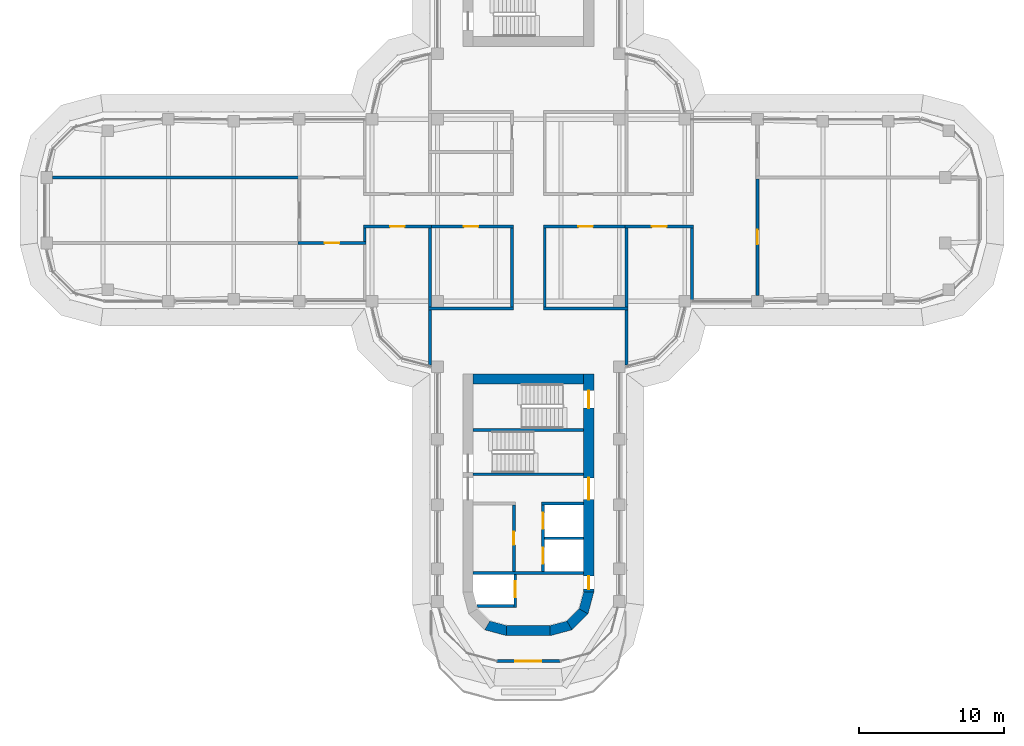
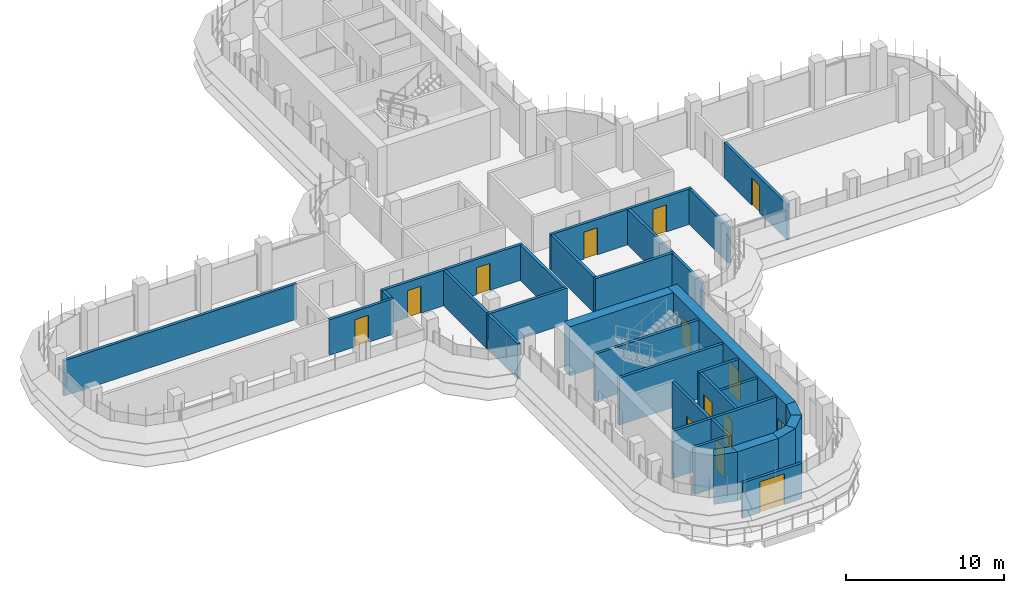
# One storey, part 14 of 20: 34 walls, 14 doors, 14 openings.
"""IFC4 building model written with IfcOpenShell, lengths in metres."""

from ifc_helpers import new_model, si_unit, direction, frame, frame_2d, origin, place, context, subcontext, project, spatial, polyline, rectangle, outline, extrude, material, layer, layer_set, type_object, element, fill, save


model = new_model("IFC4")

# Units and contexts
model_context = context("Model", 3, precision=1e-05, world=origin(), true_north=direction((0.0, 1.0)))
body_context = subcontext(model_context, "Body", "Model", "MODEL_VIEW")
ifc_project = project(units=[si_unit("LENGTHUNIT", "METRE"), si_unit("AREAUNIT", "SQUARE_METRE"), si_unit("VOLUMEUNIT", "CUBIC_METRE"), si_unit("PLANEANGLEUNIT", "RADIAN"), si_unit("MASSUNIT", "GRAM", prefix="KILO")], contexts=[model_context])

# Site, building, storey
site_placement = place(None, origin())
site = spatial("IfcSite", under=ifc_project, at=site_placement, CompositionType="ELEMENT")
building_placement = place(site_placement, origin())
building = spatial("IfcBuilding", under=site, at=building_placement, Name="Zarbagh Exchange Tower", CompositionType="ELEMENT")
storey_placement = place(building_placement, frame((0.0, 0.0, 156.199951171875)))
storey = spatial("IfcBuildingStorey", under=building, at=storey_placement, Name="L37", CompositionType="ELEMENT", Elevation=156.199951171875)

# Wall, opening, door
ifc_material_1 = material(Name="Fire-rated plasterboard partition")
ifc_layer_1 = layer(ifc_material_1, 0.199951171875)
ifc_layer_set_1 = layer_set([ifc_layer_1], Name="RATED PARTITION 200")
wall_type_1 = type_object("IfcWallType", Name="RATED PARTITION 200", PredefinedType="PARTITIONING", material=ifc_layer_set_1)
wall_1_placement = place(storey_placement, frame((6.85009765625, -1.125, 0.0), z_axis=(0.0, 0.0, 1.0), x_axis=(-1.0, 0.0, 0.0)))
wall_1 = element("IfcWall", 1, at=wall_1_placement, inside=storey, type_object=wall_type_1, Name="Partition W-1605", PredefinedType="PARTITIONING", context=body_context, shape_type="SweptSolid", body=[
    extrude(rectangle(XDim=5.8251953125, YDim=0.199951171875, at=frame_2d((2.91259765625, 0.0))), origin(), (0.0, 0.0, 1.0), 2.75),
])
opening_1_placement = place(wall_1_placement, frame((2.41259765625, 0.0, 0.0)))
opening_1 = element("IfcOpeningElement", 2, at=opening_1_placement, cuts=wall_1, Name="Opening D-1609", PredefinedType="OPENING", context=body_context, shape_type="SweptSolid", body=[
    extrude(rectangle(XDim=1.0, YDim=2.10009765625, at=frame_2d((0.5, 1.050048828125))), frame((0.0, 0.10986328125, 0.0), z_axis=(0.0, -1.0, 0.0), x_axis=(1.0, 0.0, 0.0)), (0.0, 0.0, 1.0), 0.219970703125),
])
ifc_material_2 = material(Name="Steel door set", Category="steel")
door_type_1 = type_object("IfcDoorType", Name="FIRE DOOR 1000 X 2100 FD30S", OperationType="NOTDEFINED", PredefinedType="DOOR", material=ifc_material_2)
door_1_placement = place(opening_1_placement, origin())
door_1 = element("IfcDoor", 3, at=door_1_placement, inside=storey, type_object=door_type_1, Name="Door D-1609", OperationType="SINGLE_SWING_RIGHT", OverallHeight=2.10009765625, OverallWidth=1.0, PredefinedType="DOOR", context=body_context, shape_type="SweptSolid", body=[
    extrude(rectangle(XDim=1.0, YDim=2.10009765625, at=frame_2d((0.5, 1.050048828125))), frame((0.0, 0.02490234375, 0.0), z_axis=(0.0, -1.0, 0.0), x_axis=(1.0, 0.0, 0.0)), (0.0, 0.0, 1.0), 0.050048828125),
])
fill(opening_1, door_1)

wall_2_placement = place(storey_placement, frame((11.35009765625, -1.125, 0.0), z_axis=(0.0, 0.0, 1.0), x_axis=(-1.0, 0.0, 0.0)))
wall_2 = element("IfcWall", 4, at=wall_2_placement, inside=storey, type_object=wall_type_1, Name="Partition W-1606", PredefinedType="PARTITIONING", context=body_context, shape_type="SweptSolid", body=[
    extrude(rectangle(XDim=4.7001953125, YDim=0.199951171875, at=frame_2d((2.35009765625, 0.0))), origin(), (0.0, 0.0, 1.0), 2.75),
])
opening_2_placement = place(wall_2_placement, frame((1.85009765625, 0.0, 0.0)))
opening_2 = element("IfcOpeningElement", 5, at=opening_2_placement, cuts=wall_2, Name="Opening D-1610", PredefinedType="OPENING", context=body_context, shape_type="SweptSolid", body=[
    extrude(rectangle(XDim=1.0, YDim=2.10009765625, at=frame_2d((0.5, 1.050048828125))), frame((0.0, 0.10986328125, 0.0), z_axis=(0.0, -1.0, 0.0), x_axis=(1.0, 0.0, 0.0)), (0.0, 0.0, 1.0), 0.219970703125),
])
door_2_placement = place(opening_2_placement, origin())
door_2 = element("IfcDoor", 6, at=door_2_placement, inside=storey, type_object=door_type_1, Name="Door D-1610", OperationType="SINGLE_SWING_RIGHT", OverallHeight=2.10009765625, OverallWidth=1.0, PredefinedType="DOOR", context=body_context, shape_type="SweptSolid", body=[
    extrude(rectangle(XDim=1.0, YDim=2.10009765625, at=frame_2d((0.5, 1.050048828125))), frame((0.0, 0.02490234375, 0.0), z_axis=(0.0, -1.0, 0.0), x_axis=(1.0, 0.0, 0.0)), (0.0, 0.0, 1.0), 0.050048828125),
])
fill(opening_2, door_2)

wall_3_placement = place(storey_placement, frame((-1.02490234375, -1.125, 0.0), z_axis=(0.0, 0.0, 1.0), x_axis=(-1.0, 0.0, 0.0)))
wall_3 = element("IfcWall", 7, at=wall_3_placement, inside=storey, type_object=wall_type_1, Name="Partition W-1607", PredefinedType="PARTITIONING", context=body_context, shape_type="SweptSolid", body=[
    extrude(rectangle(XDim=5.8251953125, YDim=0.199951171875, at=frame_2d((2.91259765625, 0.0))), origin(), (0.0, 0.0, 1.0), 2.75),
])
opening_3_placement = place(wall_3_placement, frame((2.41259765625, 0.0, 0.0)))
opening_3 = element("IfcOpeningElement", 8, at=opening_3_placement, cuts=wall_3, Name="Opening D-1611", PredefinedType="OPENING", context=body_context, shape_type="SweptSolid", body=[
    extrude(rectangle(XDim=1.0, YDim=2.10009765625, at=frame_2d((0.5, 1.050048828125))), frame((0.0, 0.10986328125, 0.0), z_axis=(0.0, -1.0, 0.0), x_axis=(1.0, 0.0, 0.0)), (0.0, 0.0, 1.0), 0.219970703125),
])
door_3_placement = place(opening_3_placement, origin())
door_3 = element("IfcDoor", 9, at=door_3_placement, inside=storey, type_object=door_type_1, Name="Door D-1611", OperationType="SINGLE_SWING_RIGHT", OverallHeight=2.10009765625, OverallWidth=1.0, PredefinedType="DOOR", context=body_context, shape_type="SweptSolid", body=[
    extrude(rectangle(XDim=1.0, YDim=2.10009765625, at=frame_2d((0.5, 1.050048828125))), frame((0.0, 0.02490234375, 0.0), z_axis=(0.0, -1.0, 0.0), x_axis=(1.0, 0.0, 0.0)), (0.0, 0.0, 1.0), 0.050048828125),
])
fill(opening_3, door_3)

wall_4_placement = place(storey_placement, frame((-6.64990234375, -1.125, 0.0), z_axis=(0.0, 0.0, 1.0), x_axis=(-1.0, 0.0, 0.0)))
wall_4 = element("IfcWall", 10, at=wall_4_placement, inside=storey, type_object=wall_type_1, Name="Partition W-1608", PredefinedType="PARTITIONING", context=body_context, shape_type="SweptSolid", body=[
    extrude(rectangle(XDim=4.7001953125, YDim=0.199951171875, at=frame_2d((2.35009765625, 0.0))), origin(), (0.0, 0.0, 1.0), 2.75),
])
opening_4_placement = place(wall_4_placement, frame((1.85009765625, 0.0, 0.0)))
opening_4 = element("IfcOpeningElement", 11, at=opening_4_placement, cuts=wall_4, Name="Opening D-1612", PredefinedType="OPENING", context=body_context, shape_type="SweptSolid", body=[
    extrude(rectangle(XDim=1.0, YDim=2.10009765625, at=frame_2d((0.5, 1.050048828125))), frame((0.0, 0.10986328125, 0.0), z_axis=(0.0, -1.0, 0.0), x_axis=(1.0, 0.0, 0.0)), (0.0, 0.0, 1.0), 0.219970703125),
])
door_4_placement = place(opening_4_placement, origin())
door_4 = element("IfcDoor", 12, at=door_4_placement, inside=storey, type_object=door_type_1, Name="Door D-1612", OperationType="SINGLE_SWING_RIGHT", OverallHeight=2.10009765625, OverallWidth=1.0, PredefinedType="DOOR", context=body_context, shape_type="SweptSolid", body=[
    extrude(rectangle(XDim=1.0, YDim=2.10009765625, at=frame_2d((0.5, 1.050048828125))), frame((0.0, 0.02490234375, 0.0), z_axis=(0.0, -1.0, 0.0), x_axis=(1.0, 0.0, 0.0)), (0.0, 0.0, 1.0), 0.050048828125),
])
fill(opening_4, door_4)

# Walls
for number, where, z_axis, x_axis, name in (
    (13, (1.125, -6.64990234375, 0.0), (0.0, 0.0, 1.0), (0.0, 1.0, 0.0), "Partition W-1612"),
    (14, (-1.125, -6.64990234375, 0.0), (0.0, 0.0, 1.0), (0.0, 1.0, 0.0), "Partition W-1613"),
):
    element("IfcWall", number, at=place(storey_placement, frame(where, z_axis=z_axis, x_axis=x_axis)), inside=storey, type_object=wall_type_1, Name=name, PredefinedType="PARTITIONING", context=body_context, shape_type="SweptSolid", body=[
        extrude(rectangle(XDim=5.4248046875, YDim=0.199951171875, at=frame_2d((2.71240234375, 0.0))), origin(), (0.0, 0.0, 1.0), 2.75),
    ])
wall_5_placement = place(storey_placement, frame((1.02490234375, -6.75, 0.0), z_axis=(0.0, 0.0, 1.0), x_axis=(1.0, 0.0, 0.0)))
element("IfcWall", 15, at=wall_5_placement, inside=storey, type_object=wall_type_1, Name="Partition W-1618", PredefinedType="PARTITIONING", context=body_context, shape_type="SweptSolid", body=[
    extrude(rectangle(XDim=5.8251953125, YDim=0.199951171875, at=frame_2d((2.91259765625, 0.0))), origin(), (0.0, 0.0, 1.0), 2.75),
])
wall_6_placement = place(storey_placement, frame((6.75, -10.6298828125, 0.0), z_axis=(0.0, 0.0, 1.0), x_axis=(0.0, 1.0, 0.0)))
element("IfcWall", 16, at=wall_6_placement, inside=storey, type_object=wall_type_1, Name="Partition W-1619", PredefinedType="PARTITIONING", context=body_context, shape_type="SweptSolid", body=[
    extrude(rectangle(XDim=3.77978515625, YDim=0.199951171875, at=frame_2d((1.889892578125, 0.0))), origin(), (0.0, 0.0, 1.0), 2.75),
])
wall_7_placement = place(storey_placement, frame((-6.85009765625, -6.75, 0.0), z_axis=(0.0, 0.0, 1.0), x_axis=(1.0, 0.0, 0.0)))
element("IfcWall", 17, at=wall_7_placement, inside=storey, type_object=wall_type_1, Name="Partition W-1620", PredefinedType="PARTITIONING", context=body_context, shape_type="SweptSolid", body=[
    extrude(rectangle(XDim=5.8251953125, YDim=0.199951171875, at=frame_2d((2.91259765625, 0.0))), origin(), (0.0, 0.0, 1.0), 2.75),
])
wall_8_placement = place(storey_placement, frame((-6.75, -10.6298828125, 0.0), z_axis=(0.0, 0.0, 1.0), x_axis=(0.0, 1.0, 0.0)))
element("IfcWall", 18, at=wall_8_placement, inside=storey, type_object=wall_type_1, Name="Partition W-1621", PredefinedType="PARTITIONING", context=body_context, shape_type="SweptSolid", body=[
    extrude(rectangle(XDim=3.77978515625, YDim=0.199951171875, at=frame_2d((1.889892578125, 0.0))), origin(), (0.0, 0.0, 1.0), 2.75),
])
wall_9_placement = place(storey_placement, frame((6.75, -6.64990234375, 0.0), z_axis=(0.0, 0.0, 1.0), x_axis=(0.0, 1.0, 0.0)))
element("IfcWall", 19, at=wall_9_placement, inside=storey, type_object=wall_type_1, Name="Partition W-1630", PredefinedType="PARTITIONING", context=body_context, shape_type="SweptSolid", body=[
    extrude(rectangle(XDim=5.4248046875, YDim=0.199951171875, at=frame_2d((2.71240234375, 0.0))), origin(), (0.0, 0.0, 1.0), 2.75),
])
wall_10_placement = place(storey_placement, frame((11.25, -6.169921875, 0.0), z_axis=(0.0, 0.0, 1.0), x_axis=(0.0, 1.0, 0.0)))
element("IfcWall", 20, at=wall_10_placement, inside=storey, type_object=wall_type_1, Name="Partition W-1631", PredefinedType="PARTITIONING", context=body_context, shape_type="SweptSolid", body=[
    extrude(rectangle(XDim=4.94482421875, YDim=0.199951171875, at=frame_2d((2.472412109375, 0.0))), origin(), (0.0, 0.0, 1.0), 2.75),
])
wall_11_placement = place(storey_placement, frame((-6.75, -6.64990234375, 0.0), z_axis=(0.0, 0.0, 1.0), x_axis=(0.0, 1.0, 0.0)))
element("IfcWall", 21, at=wall_11_placement, inside=storey, type_object=wall_type_1, Name="Partition W-1632", PredefinedType="PARTITIONING", context=body_context, shape_type="SweptSolid", body=[
    extrude(rectangle(XDim=5.4248046875, YDim=0.199951171875, at=frame_2d((2.71240234375, 0.0))), origin(), (0.0, 0.0, 1.0), 2.75),
])
wall_12_placement = place(storey_placement, frame((-11.25, -2.14990234375, 0.0), z_axis=(0.0, 0.0, 1.0), x_axis=(0.0, 1.0, 0.0)))
element("IfcWall", 22, at=wall_12_placement, inside=storey, type_object=wall_type_1, Name="Partition W-1633", PredefinedType="PARTITIONING", context=body_context, shape_type="SweptSolid", body=[
    extrude(rectangle(XDim=0.9248046875, YDim=0.199951171875, at=frame_2d((0.46240234375, 0.0))), origin(), (0.0, 0.0, 1.0), 2.75),
])

# Wall, opening, door
wall_13_placement = place(storey_placement, frame((15.75, 2.14990234375, 0.0), z_axis=(0.0, 0.0, 1.0), x_axis=(0.0, -1.0, 0.0)))
wall_13 = element("IfcWall", 23, at=wall_13_placement, inside=storey, type_object=wall_type_1, Name="Partition W-1635", PredefinedType="PARTITIONING", context=body_context, shape_type="SweptSolid", body=[
    extrude(rectangle(XDim=8.0, YDim=0.199951171875, at=frame_2d((4.0, 0.0))), origin(), (0.0, 0.0, 1.0), 2.75),
])
opening_5_placement = place(wall_13_placement, frame((3.5, 0.0, 0.0)))
opening_5 = element("IfcOpeningElement", 24, at=opening_5_placement, cuts=wall_13, Name="Opening D-1601", PredefinedType="OPENING", context=body_context, shape_type="SweptSolid", body=[
    extrude(rectangle(XDim=1.0, YDim=2.10009765625, at=frame_2d((0.5, 1.050048828125))), frame((0.0, 0.10986328125, 0.0), z_axis=(0.0, -1.0, 0.0), x_axis=(1.0, 0.0, 0.0)), (0.0, 0.0, 1.0), 0.219970703125),
])
door_5_placement = place(opening_5_placement, origin())
door_5 = element("IfcDoor", 25, at=door_5_placement, inside=storey, type_object=door_type_1, Name="Door D-1601", OperationType="SINGLE_SWING_RIGHT", OverallHeight=2.10009765625, OverallWidth=1.0, PredefinedType="DOOR", context=body_context, shape_type="SweptSolid", body=[
    extrude(rectangle(XDim=1.0, YDim=2.10009765625, at=frame_2d((0.5, 1.050048828125))), frame((0.0, 0.02490234375, 0.0), z_axis=(0.0, -1.0, 0.0), x_axis=(1.0, 0.0, 0.0)), (0.0, 0.0, 1.0), 0.050048828125),
])
fill(opening_5, door_5)

wall_14_placement = place(storey_placement, frame((-11.14990234375, -2.25, 0.0), z_axis=(0.0, 0.0, 1.0), x_axis=(-1.0, 0.0, 0.0)))
wall_14 = element("IfcWall", 26, at=wall_14_placement, inside=storey, type_object=wall_type_1, Name="Partition W-1640", PredefinedType="PARTITIONING", context=body_context, shape_type="SweptSolid", body=[
    extrude(rectangle(XDim=4.7001953125, YDim=0.199951171875, at=frame_2d((2.35009765625, 0.0))), origin(), (0.0, 0.0, 1.0), 2.75),
])
opening_6_placement = place(wall_14_placement, frame((1.85009765625, 0.0, 0.0)))
opening_6 = element("IfcOpeningElement", 27, at=opening_6_placement, cuts=wall_14, Name="Opening D-1615", PredefinedType="OPENING", context=body_context, shape_type="SweptSolid", body=[
    extrude(rectangle(XDim=1.0, YDim=2.10009765625, at=frame_2d((0.5, 1.050048828125))), frame((0.0, 0.10986328125, 0.0), z_axis=(0.0, -1.0, 0.0), x_axis=(1.0, 0.0, 0.0)), (0.0, 0.0, 1.0), 0.219970703125),
])
door_6_placement = place(opening_6_placement, origin())
door_6 = element("IfcDoor", 28, at=door_6_placement, inside=storey, type_object=door_type_1, Name="Door D-1615", OperationType="SINGLE_SWING_RIGHT", OverallHeight=2.10009765625, OverallWidth=1.0, PredefinedType="DOOR", context=body_context, shape_type="SweptSolid", body=[
    extrude(rectangle(XDim=1.0, YDim=2.10009765625, at=frame_2d((0.5, 1.050048828125))), frame((0.0, 0.02490234375, 0.0), z_axis=(0.0, -1.0, 0.0), x_axis=(1.0, 0.0, 0.0)), (0.0, 0.0, 1.0), 0.050048828125),
])
fill(opening_6, door_6)

# Walls
wall_15_placement = place(storey_placement, frame((-32.7099609375, 2.25, 0.0), z_axis=(0.0, 0.0, 1.0), x_axis=(1.0, 0.0, 0.0)))
element("IfcWall", 29, at=wall_15_placement, inside=storey, type_object=wall_type_1, Name="Partition W-1642", PredefinedType="PARTITIONING", context=body_context, shape_type="SweptSolid", body=[
    extrude(rectangle(XDim=17.06005859375, YDim=0.199951171875, at=frame_2d((8.530029296875, 0.0))), origin(), (0.0, 0.0, 1.0), 2.75),
])
ifc_material_3 = material(Name="Concrete C50/60", Category="concrete")
ifc_layer_2 = layer(ifc_material_3, 0.699951171875)
ifc_layer_set_2 = layer_set([ifc_layer_2], Name="RC core corner wall 700 C50/60")
wall_type_2 = type_object("IfcWallType", Name="RC core corner wall 700 C50/60", PredefinedType="SHEAR", material=ifc_layer_set_2)
wall_16_placement = place(storey_placement, origin())
element("IfcWall", 30, at=wall_16_placement, inside=storey, type_object=wall_type_2, Name="CW6 core S corner W", PredefinedType="SHEAR", context=body_context, shape_type="SweptSolid", body=[
    extrude(outline(polyline([(-3.0, -28.84814453125), (-1.5, -29.25), (-1.5, -28.550048828125), (-2.64990234375, -28.241943359375), (-3.0, -28.84814453125)])), origin(), (0.0, 0.0, 1.0), 3.800048828125),
])
wall_17_placement = place(storey_placement, origin())
element("IfcWall", 31, at=wall_17_placement, inside=storey, type_object=wall_type_2, Name="CW6 core S corner E", PredefinedType="SHEAR", context=body_context, shape_type="SweptSolid", body=[
    extrude(outline(polyline([(4.5, -26.25), (4.09814453125, -27.75), (3.491943359375, -27.39990234375), (3.800048828125, -26.25), (4.5, -26.25)])), origin(), (0.0, 0.0, 1.0), 3.800048828125),
])
wall_18_placement = place(storey_placement, origin())
element("IfcWall", 32, at=wall_18_placement, inside=storey, type_object=wall_type_2, Name="CW6 core S corner E", PredefinedType="SHEAR", context=body_context, shape_type="SweptSolid", body=[
    extrude(outline(polyline([(4.09814453125, -27.75), (3.0, -28.84814453125), (2.64990234375, -28.241943359375), (3.491943359375, -27.39990234375), (4.09814453125, -27.75)])), origin(), (0.0, 0.0, 1.0), 3.800048828125),
])
wall_19_placement = place(storey_placement, origin())
element("IfcWall", 33, at=wall_19_placement, inside=storey, type_object=wall_type_2, Name="CW6 core S corner E", PredefinedType="SHEAR", context=body_context, shape_type="SweptSolid", body=[
    extrude(outline(polyline([(3.0, -28.84814453125), (1.5, -29.25), (1.5, -28.550048828125), (2.64990234375, -28.241943359375), (3.0, -28.84814453125)])), origin(), (0.0, 0.0, 1.0), 3.800048828125),
])

# Wall, openings, doors
ifc_layer_3 = layer(ifc_material_3, 0.699951171875)
ifc_layer_set_3 = layer_set([ifc_layer_3], Name="RC core wall 700 C50/60")
wall_type_3 = type_object("IfcWallType", Name="RC core wall 700 C50/60", PredefinedType="SHEAR", material=ifc_layer_set_3)
wall_20_placement = place(storey_placement, frame((4.14990234375, -11.25, 0.0), z_axis=(0.0, 0.0, 1.0), x_axis=(0.0, -1.0, 0.0)))
wall_20 = element("IfcWall", 34, at=wall_20_placement, inside=storey, type_object=wall_type_3, Name="CW5 core S E", PredefinedType="SHEAR", context=body_context, shape_type="SweptSolid", body=[
    extrude(rectangle(XDim=15.0, YDim=0.699951171875, at=frame_2d((7.5, 0.0))), origin(), (0.0, 0.0, 1.0), 3.800048828125),
])
opening_7_placement = place(wall_20_placement, frame((7.14990234375, 0.0, 0.0)))
opening_7 = element("IfcOpeningElement", 35, at=opening_7_placement, cuts=wall_20, Name="Opening CD1-1500", PredefinedType="OPENING", context=body_context, shape_type="SweptSolid", body=[
    extrude(rectangle(XDim=1.5, YDim=2.300048828125, at=frame_2d((0.75, 1.14990234375))), frame((0.0, 0.35986328125, 0.0), z_axis=(0.0, -1.0, 0.0), x_axis=(1.0, 0.0, 0.0)), (0.0, 0.0, 1.0), 0.719970703125),
])
opening_8_placement = place(wall_20_placement, frame((13.89990234375, 0.0, 0.0)))
opening_8 = element("IfcOpeningElement", 36, at=opening_8_placement, cuts=wall_20, Name="Opening CD2-900", PredefinedType="OPENING", context=body_context, shape_type="SweptSolid", body=[
    extrude(rectangle(XDim=0.89990234375, YDim=2.10009765625, at=frame_2d((0.449951171875, 1.050048828125))), frame((0.0, 0.35986328125, 0.0), z_axis=(0.0, -1.0, 0.0), x_axis=(1.0, 0.0, 0.0)), (0.0, 0.0, 1.0), 0.719970703125),
])
opening_9_placement = place(wall_20_placement, frame((1.14990234375, 0.0, 0.0)))
opening_9 = element("IfcOpeningElement", 37, at=opening_9_placement, cuts=wall_20, Name="Opening SD1-1200", PredefinedType="OPENING", context=body_context, shape_type="SweptSolid", body=[
    extrude(rectangle(XDim=1.199951171875, YDim=2.10009765625, at=frame_2d((0.60009765625, 1.050048828125))), frame((0.0, 0.35986328125, 0.0), z_axis=(0.0, -1.0, 0.0), x_axis=(1.0, 0.0, 0.0)), (0.0, 0.0, 1.0), 0.719970703125),
])
ifc_material_4 = material(Name="Steel", Category="steel")
door_type_2 = type_object("IfcDoorType", Name="Exit stair door 1200 x 2100", OperationType="NOTDEFINED", PredefinedType="DOOR", material=ifc_material_4)
door_7_placement = place(opening_9_placement, origin())
door_7 = element("IfcDoor", 38, at=door_7_placement, inside=storey, type_object=door_type_2, Name="South core stair door ST2", OperationType="SINGLE_SWING_LEFT", OverallHeight=2.10009765625, OverallWidth=1.199951171875, PredefinedType="DOOR", context=body_context, shape_type="SweptSolid", body=[
    extrude(rectangle(XDim=1.199951171875, YDim=2.10009765625, at=frame_2d((0.60009765625, 1.050048828125))), frame((0.0, 0.02490234375, 0.0), z_axis=(0.0, -1.0, 0.0), x_axis=(1.0, 0.0, 0.0)), (0.0, 0.0, 1.0), 0.050048828125),
])
fill(opening_9, door_7)
door_type_3 = type_object("IfcDoorType", Name="Firefighting lobby door 900 x 2100", OperationType="NOTDEFINED", PredefinedType="DOOR", material=ifc_material_4)
door_8_placement = place(opening_8_placement, origin())
door_8 = element("IfcDoor", 39, at=door_8_placement, inside=storey, type_object=door_type_3, Name="South core firefighting lobby door FF-W", OperationType="SINGLE_SWING_LEFT", OverallHeight=2.10009765625, OverallWidth=0.89990234375, PredefinedType="DOOR", context=body_context, shape_type="SweptSolid", body=[
    extrude(rectangle(XDim=0.89990234375, YDim=2.10009765625, at=frame_2d((0.449951171875, 1.050048828125))), frame((0.0, 0.02490234375, 0.0), z_axis=(0.0, -1.0, 0.0), x_axis=(1.0, 0.0, 0.0)), (0.0, 0.0, 1.0), 0.050048828125),
])
fill(opening_8, door_8)
door_type_4 = type_object("IfcDoorType", Name="Lift lobby double door 1500 x 2300", OperationType="NOTDEFINED", PredefinedType="DOOR", material=ifc_material_4)
door_9_placement = place(opening_7_placement, origin())
door_9 = element("IfcDoor", 40, at=door_9_placement, inside=storey, type_object=door_type_4, Name="South core lift lobby door LOBBY-W", OperationType="DOUBLE_DOOR_SINGLE_SWING", OverallHeight=2.300048828125, OverallWidth=1.5, PredefinedType="DOOR", context=body_context, shape_type="SweptSolid", body=[
    extrude(rectangle(XDim=1.5, YDim=2.300048828125, at=frame_2d((0.75, 1.14990234375))), frame((0.0, 0.02490234375, 0.0), z_axis=(0.0, -1.0, 0.0), x_axis=(1.0, 0.0, 0.0)), (0.0, 0.0, 1.0), 0.050048828125),
])
fill(opening_7, door_9)

# Walls
wall_21_placement = place(storey_placement, frame((-3.800048828125, -11.60009765625, 0.0), z_axis=(0.0, 0.0, 1.0), x_axis=(1.0, 0.0, 0.0)))
element("IfcWall", 41, at=wall_21_placement, inside=storey, type_object=wall_type_3, Name="CW5 core S inner end", PredefinedType="SHEAR", context=body_context, shape_type="SweptSolid", body=[
    extrude(rectangle(XDim=7.60009765625, YDim=0.699951171875, at=frame_2d((3.800048828125, 0.0))), origin(), (0.0, 0.0, 1.0), 3.800048828125),
])
wall_22_placement = place(storey_placement, frame((-1.5, -28.89990234375, 0.0), z_axis=(0.0, 0.0, 1.0), x_axis=(1.0, 0.0, 0.0)))
element("IfcWall", 42, at=wall_22_placement, inside=storey, type_object=wall_type_3, Name="CW5 core S outer end", PredefinedType="SHEAR", context=body_context, shape_type="SweptSolid", body=[
    extrude(rectangle(XDim=3.0, YDim=0.699951171875, at=frame_2d((1.5, 0.0))), origin(), (0.0, 0.0, 1.0), 3.800048828125),
])
ifc_material_5 = material(Name="Dense blockwork", Category="masonry")
ifc_layer_4 = layer(ifc_material_5, 0.199951171875)
ifc_layer_set_4 = layer_set([ifc_layer_4], Name="Shaft wall 200 mm blockwork")
wall_type_4 = type_object("IfcWallType", Name="Shaft wall 200 mm blockwork", PredefinedType="PARTITIONING", material=ifc_layer_set_4)
wall_23_placement = place(storey_placement, frame((3.800048828125, -20.14990234375, 0.0), z_axis=(0.0, 0.0, 1.0), x_axis=(-1.0, 0.0, 0.0)))
element("IfcWall", 43, at=wall_23_placement, inside=storey, type_object=wall_type_4, Name="South core shaft wall AB-W", PredefinedType="PARTITIONING", context=body_context, shape_type="SweptSolid", body=[
    extrude(rectangle(XDim=2.900146484375, YDim=0.199951171875, at=frame_2d((1.4501953125, 0.0))), origin(), (0.0, 0.0, 1.0), 3.650146484375),
])

# Wall, openings, doors
wall_24_placement = place(storey_placement, frame((1.0, -24.85009765625, 0.0), z_axis=(0.0, 0.0, 1.0), x_axis=(0.0, 1.0, 0.0)))
wall_24 = element("IfcWall", 44, at=wall_24_placement, inside=storey, type_object=wall_type_4, Name="South core shaft wall LW-W", PredefinedType="PARTITIONING", context=body_context, shape_type="SweptSolid", body=[
    extrude(rectangle(XDim=4.60009765625, YDim=0.199951171875, at=frame_2d((2.300048828125, 0.0))), origin(), (0.0, 0.0, 1.0), 3.650146484375),
])
opening_10_placement = place(wall_24_placement, frame((0.550048828125, 0.0, 0.0)))
opening_10 = element("IfcOpeningElement", 45, at=opening_10_placement, cuts=wall_24, Name="Opening LD-1100", PredefinedType="OPENING", context=body_context, shape_type="SweptSolid", body=[
    extrude(rectangle(XDim=1.10009765625, YDim=2.300048828125, at=frame_2d((0.550048828125, 1.14990234375))), frame((0.0, 0.10986328125, 0.0), z_axis=(0.0, -1.0, 0.0), x_axis=(1.0, 0.0, 0.0)), (0.0, 0.0, 1.0), 0.219970703125),
])
opening_11_placement = place(wall_24_placement, frame((2.949951171875, 0.0, 0.0)))
opening_11 = element("IfcOpeningElement", 46, at=opening_11_placement, cuts=wall_24, Name="Opening LD-1100", PredefinedType="OPENING", context=body_context, shape_type="SweptSolid", body=[
    extrude(rectangle(XDim=1.10009765625, YDim=2.300048828125, at=frame_2d((0.550048828125, 1.14990234375))), frame((0.0, 0.10986328125, 0.0), z_axis=(0.0, -1.0, 0.0), x_axis=(1.0, 0.0, 0.0)), (0.0, 0.0, 1.0), 0.219970703125),
])
ifc_material_6 = material(Name="Stainless steel", Category="steel")
door_type_5 = type_object("IfcDoorType", Name="Lift landing door 1100 x 2300", OperationType="NOTDEFINED", PredefinedType="DOOR", material=ifc_material_6)
door_10_placement = place(opening_10_placement, origin())
door_10 = element("IfcDoor", 47, at=door_10_placement, inside=storey, type_object=door_type_5, Name="South core lift landing door LD-P-S1", OperationType="DOUBLE_DOOR_SLIDING", OverallHeight=2.300048828125, OverallWidth=1.10009765625, PredefinedType="DOOR", context=body_context, shape_type="SweptSolid", body=[
    extrude(rectangle(XDim=1.10009765625, YDim=2.300048828125, at=frame_2d((0.550048828125, 1.14990234375))), frame((0.0, 0.02490234375, 0.0), z_axis=(0.0, -1.0, 0.0), x_axis=(1.0, 0.0, 0.0)), (0.0, 0.0, 1.0), 0.050048828125),
])
fill(opening_10, door_10)
door_11_placement = place(opening_11_placement, origin())
door_11 = element("IfcDoor", 48, at=door_11_placement, inside=storey, type_object=door_type_5, Name="South core lift landing door LD-P-S2", OperationType="DOUBLE_DOOR_SLIDING", OverallHeight=2.300048828125, OverallWidth=1.10009765625, PredefinedType="DOOR", context=body_context, shape_type="SweptSolid", body=[
    extrude(rectangle(XDim=1.10009765625, YDim=2.300048828125, at=frame_2d((0.550048828125, 1.14990234375))), frame((0.0, 0.02490234375, 0.0), z_axis=(0.0, -1.0, 0.0), x_axis=(1.0, 0.0, 0.0)), (0.0, 0.0, 1.0), 0.050048828125),
])
fill(opening_11, door_11)

# Wall, opening, door
wall_25_placement = place(storey_placement, frame((-1.0, -24.85009765625, 0.0), z_axis=(0.0, 0.0, 1.0), x_axis=(0.0, 1.0, 0.0)))
wall_25 = element("IfcWall", 49, at=wall_25_placement, inside=storey, type_object=wall_type_4, Name="South core shaft wall LW-E", PredefinedType="PARTITIONING", context=body_context, shape_type="SweptSolid", body=[
    extrude(rectangle(XDim=4.60009765625, YDim=0.199951171875, at=frame_2d((2.300048828125, 0.0))), origin(), (0.0, 0.0, 1.0), 3.650146484375),
])
opening_12_placement = place(wall_25_placement, frame((1.85009765625, 0.0, 0.0)))
opening_12 = element("IfcOpeningElement", 50, at=opening_12_placement, cuts=wall_25, Name="Opening CD3-900", PredefinedType="OPENING", context=body_context, shape_type="SweptSolid", body=[
    extrude(rectangle(XDim=0.89990234375, YDim=2.10009765625, at=frame_2d((0.449951171875, 1.050048828125))), frame((0.0, 0.10986328125, 0.0), z_axis=(0.0, -1.0, 0.0), x_axis=(1.0, 0.0, 0.0)), (0.0, 0.0, 1.0), 0.219970703125),
])
door_type_6 = type_object("IfcDoorType", Name="Core room door 900 x 2100", OperationType="NOTDEFINED", PredefinedType="DOOR", material=ifc_material_4)
door_12_placement = place(opening_12_placement, origin())
door_12 = element("IfcDoor", 51, at=door_12_placement, inside=storey, type_object=door_type_6, Name="South core Riser store door RD-E-0", OperationType="SINGLE_SWING_LEFT", OverallHeight=2.10009765625, OverallWidth=0.89990234375, PredefinedType="DOOR", context=body_context, shape_type="SweptSolid", body=[
    extrude(rectangle(XDim=0.89990234375, YDim=2.10009765625, at=frame_2d((0.449951171875, 1.050048828125))), frame((0.0, 0.02490234375, 0.0), z_axis=(0.0, -1.0, 0.0), x_axis=(1.0, 0.0, 0.0)), (0.0, 0.0, 1.0), 0.050048828125),
])
fill(opening_12, door_12)

# Walls
wall_26_placement = place(storey_placement, frame((3.800048828125, -22.550048828125, 0.0), z_axis=(0.0, 0.0, 1.0), x_axis=(-1.0, 0.0, 0.0)))
element("IfcWall", 52, at=wall_26_placement, inside=storey, type_object=wall_type_4, Name="South core shaft wall TR-W", PredefinedType="PARTITIONING", context=body_context, shape_type="SweptSolid", body=[
    extrude(rectangle(XDim=2.699951171875, YDim=0.199951171875, at=frame_2d((1.35009765625, 0.0))), origin(), (0.0, 0.0, 1.0), 3.650146484375),
])
ifc_material_7 = material(Name="Concrete C40/50", Category="concrete")
ifc_layer_5 = layer(ifc_material_7, 0.199951171875)
ifc_layer_set_5 = layer_set([ifc_layer_5], Name="Stair enclosure wall 200 mm RC C40/50")
wall_type_5 = type_object("IfcWallType", Name="Stair enclosure wall 200 mm RC C40/50", PredefinedType="SHEAR", material=ifc_layer_set_5)
wall_27_placement = place(storey_placement, frame((3.800048828125, -24.949951171875, 0.0), z_axis=(0.0, 0.0, 1.0), x_axis=(-1.0, 0.0, 0.0)))
element("IfcWall", 53, at=wall_27_placement, inside=storey, type_object=wall_type_5, Name="South core lift shaft wall FFA", PredefinedType="SHEAR", context=body_context, shape_type="SweptSolid", body=[
    extrude(rectangle(XDim=7.60009765625, YDim=0.199951171875, at=frame_2d((3.800048828125, 0.0))), origin(), (0.0, 0.0, 1.0), 3.650146484375),
])

# Wall, opening, door
wall_28_placement = place(storey_placement, frame((-0.89990234375, -27.300048828125, 0.0), z_axis=(0.0, 0.0, 1.0), x_axis=(0.0, 1.0, 0.0)))
wall_28 = element("IfcWall", 54, at=wall_28_placement, inside=storey, type_object=wall_type_5, Name="South core lift shaft wall FFL", PredefinedType="SHEAR", context=body_context, shape_type="SweptSolid", body=[
    extrude(rectangle(XDim=2.25, YDim=0.199951171875, at=frame_2d((1.125, 0.0))), origin(), (0.0, 0.0, 1.0), 3.650146484375),
])
opening_13_placement = place(wall_28_placement, frame((0.699951171875, 0.0, 0.0)))
opening_13 = element("IfcOpeningElement", 55, at=opening_13_placement, cuts=wall_28, Name="Opening LD-1100", PredefinedType="OPENING", context=body_context, shape_type="SweptSolid", body=[
    extrude(rectangle(XDim=1.10009765625, YDim=2.300048828125, at=frame_2d((0.550048828125, 1.14990234375))), frame((0.0, 0.10986328125, 0.0), z_axis=(0.0, -1.0, 0.0), x_axis=(1.0, 0.0, 0.0)), (0.0, 0.0, 1.0), 0.219970703125),
])
door_13_placement = place(opening_13_placement, origin())
door_13 = element("IfcDoor", 56, at=door_13_placement, inside=storey, type_object=door_type_5, Name="South core lift landing door LD-F", OperationType="DOUBLE_DOOR_SLIDING", OverallHeight=2.300048828125, OverallWidth=1.10009765625, PredefinedType="DOOR", context=body_context, shape_type="SweptSolid", body=[
    extrude(rectangle(XDim=1.10009765625, YDim=2.300048828125, at=frame_2d((0.550048828125, 1.14990234375))), frame((0.0, 0.02490234375, 0.0), z_axis=(0.0, -1.0, 0.0), x_axis=(1.0, 0.0, 0.0)), (0.0, 0.0, 1.0), 0.050048828125),
])
fill(opening_13, door_13)

# Walls
wall_29_placement = place(storey_placement, origin())
element("IfcWall", 57, at=wall_29_placement, inside=storey, type_object=wall_type_5, Name="South core lift shaft wall FFX", PredefinedType="SHEAR", context=body_context, shape_type="SweptSolid", body=[
    extrude(outline(polyline([(-1.0, -27.10009765625), (-3.547607421875, -27.10009765625), (-3.493896484375, -27.300048828125), (-1.0, -27.300048828125), (-1.0, -27.10009765625)])), origin(), (0.0, 0.0, 1.0), 3.650146484375),
])
for number, where, z_axis, x_axis, name in (
    (58, (3.800048828125, -18.14990234375, 0.0), (0.0, 0.0, 1.0), (-1.0, 0.0, 0.0), "South core stair wall BS"),
    (59, (3.800048828125, -15.10009765625, 0.0), (0.0, 0.0, 1.0), (-1.0, 0.0, 0.0), "South core stair wall ST12"),
):
    element("IfcWall", number, at=place(storey_placement, frame(where, z_axis=z_axis, x_axis=x_axis)), inside=storey, type_object=wall_type_5, Name=name, PredefinedType="SHEAR", context=body_context, shape_type="SweptSolid", body=[
        extrude(rectangle(XDim=7.60009765625, YDim=0.199951171875, at=frame_2d((3.800048828125, 0.0))), origin(), (0.0, 0.0, 1.0), 3.650146484375),
    ])

# Wall, opening, door
ifc_material_8 = material(Name="Precast concrete C50/60", Category="concrete")
ifc_layer_6 = layer(ifc_material_8, 0.199951171875)
ifc_layer_set_6 = layer_set([ifc_layer_6], Name="Terrace door wall, precast concrete C50/60")
wall_type_6 = type_object("IfcWallType", Name="Terrace door wall, precast concrete C50/60", PredefinedType="SOLIDWALL", material=ifc_layer_set_6)
wall_30_placement = place(storey_placement, frame((-2.18408203125, -31.0, 0.0), z_axis=(0.0, 0.0, 1.0), x_axis=(1.0, 0.0, 0.0)))
wall_30 = element("IfcWall", 60, at=wall_30_placement, inside=storey, type_object=wall_type_6, Name="TW48 door wall", PredefinedType="SOLIDWALL", context=body_context, shape_type="SweptSolid", body=[
    extrude(rectangle(XDim=4.3681640625, YDim=0.199951171875, at=frame_2d((2.18408203125, 0.0))), origin(), (0.0, 0.0, 1.0), 2.75),
])
opening_14_placement = place(wall_30_placement, frame((1.2841796875, 0.0, 0.0)))
opening_14 = element("IfcOpeningElement", 61, at=opening_14_placement, cuts=wall_30, Name="Opening TD01", PredefinedType="OPENING", context=body_context, shape_type="SweptSolid", body=[
    extrude(rectangle(XDim=1.800048828125, YDim=2.39990234375, at=frame_2d((0.89990234375, 1.199951171875))), frame((0.0, 0.10986328125, 0.0), z_axis=(0.0, -1.0, 0.0), x_axis=(1.0, 0.0, 0.0)), (0.0, 0.0, 1.0), 0.219970703125),
])
ifc_material_9 = material(Name="Anodised aluminium and glass", Category="aluminium")
door_type_7 = type_object("IfcDoorType", Name="Terrace door, double leaf, aluminium and glass", OperationType="DOUBLE_DOOR_DOUBLE_SWING", PredefinedType="DOOR", material=ifc_material_9)
door_14_placement = place(opening_14_placement, origin())
door_14 = element("IfcDoor", 62, at=door_14_placement, inside=storey, type_object=door_type_7, Name="TD01 terrace door", OperationType="SINGLE_SWING_LEFT", OverallHeight=2.39990234375, OverallWidth=1.800048828125, PredefinedType="DOOR", context=body_context, shape_type="SweptSolid", body=[
    extrude(rectangle(XDim=1.800048828125, YDim=2.39990234375, at=frame_2d((0.89990234375, 1.199951171875))), frame((0.0, 0.02490234375, 0.0), z_axis=(0.0, -1.0, 0.0), x_axis=(1.0, 0.0, 0.0)), (0.0, 0.0, 1.0), 0.050048828125),
])
fill(opening_14, door_14)

save(model, "model.ifc")
